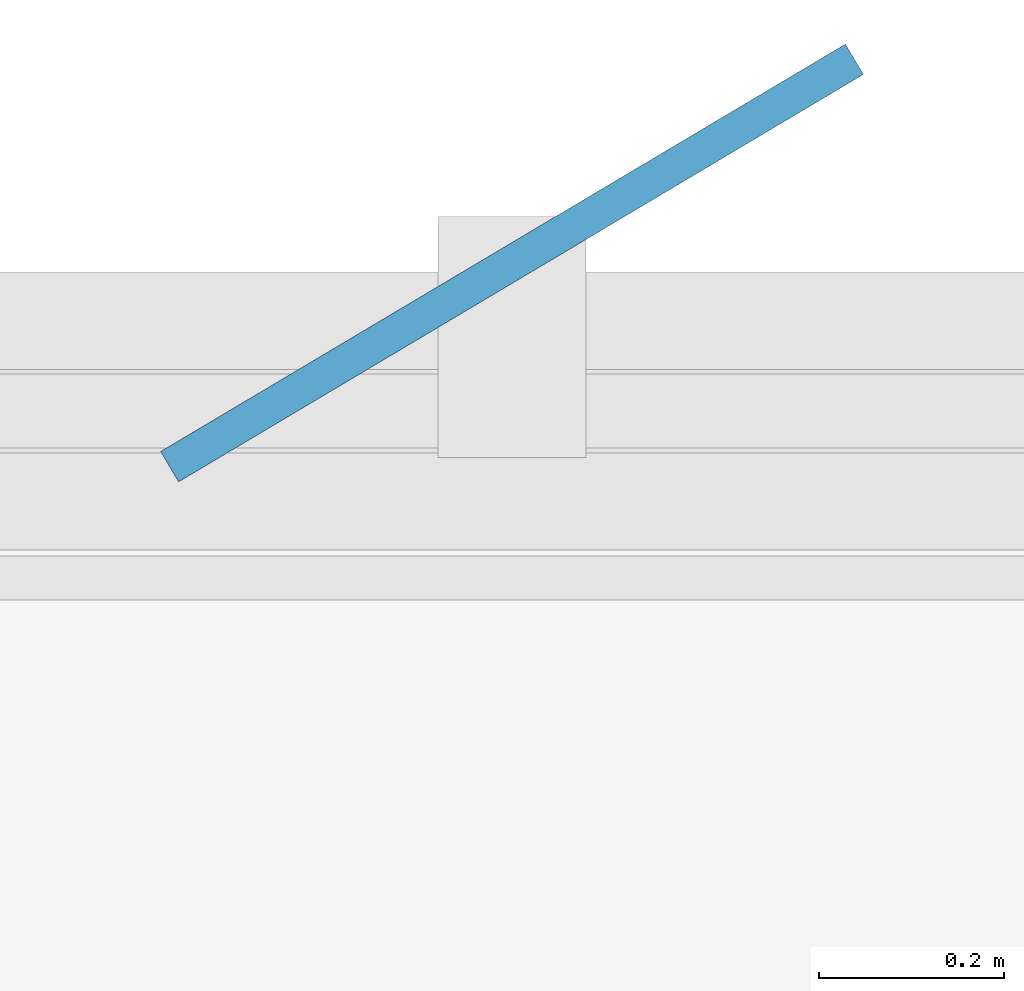
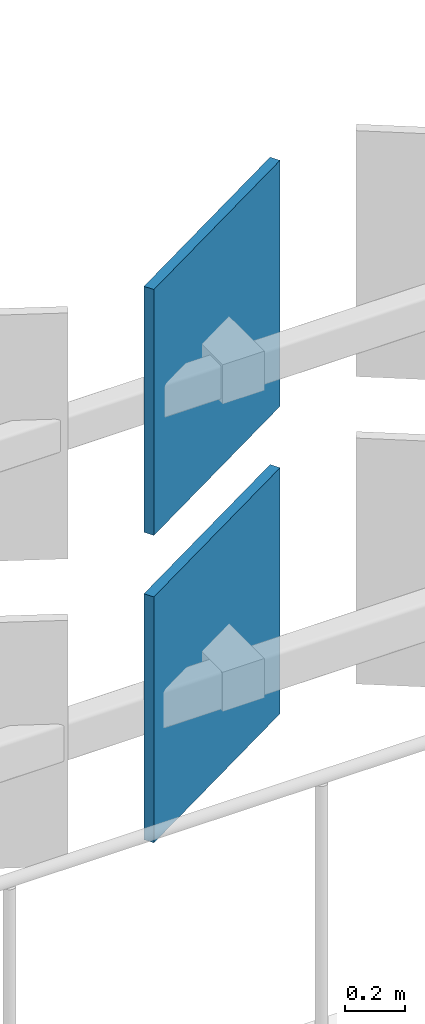
# One storey, part 147 of 184: 2 plates.
"""IFC4 building model written with IfcOpenShell, lengths in metres."""

from ifc_helpers import new_model, si_unit, direction, frame, origin, origin_2d, place, context, subcontext, project, spatial, rectangle, extrude, material, layer, layer_set, type_object, element, save


model = new_model("IFC4")

# Units and contexts
model_context = context("Model", 3, precision=1e-05, world=origin(), true_north=direction((0.0, 1.0)))
body_context = subcontext(model_context, "Body", "Model", "MODEL_VIEW")
ifc_project = project(units=[si_unit("LENGTHUNIT", "METRE"), si_unit("AREAUNIT", "SQUARE_METRE"), si_unit("VOLUMEUNIT", "CUBIC_METRE"), si_unit("PLANEANGLEUNIT", "RADIAN"), si_unit("MASSUNIT", "GRAM", prefix="KILO")], contexts=[model_context])

# Site, building, storey
site_placement = place(None, origin())
site = spatial("IfcSite", under=ifc_project, at=site_placement, CompositionType="ELEMENT")
building_placement = place(site_placement, origin())
building = spatial("IfcBuilding", under=site, at=building_placement, Name="Qalvenar Corner Mobility Hub", CompositionType="ELEMENT")
storey_placement = place(building_placement, frame((0.0, 0.0, 9.0)))
storey = spatial("IfcBuildingStorey", under=building, at=storey_placement, Name="L02", CompositionType="ELEMENT", Elevation=9.0)

# Plates
ifc_material = material(Name="Amber-Bronze Anodised Aluminium", Category="aluminium")
ifc_layer = layer(ifc_material, 0.0380859375)
ifc_layer_set = layer_set([ifc_layer], Name="Amber-Bronze Anodised Aluminium")
plate_type = type_object("IfcPlateType", Name="PLT-XC-L2-STD", PredefinedType="SHEET", material=ifc_layer_set)
for number, where, z_axis, x_axis, name in (
    (1, (127.574951171875, 117.760009765625, 1.0), (0.0, 0.0, 1.0), (-0.859406411501, -0.511293086077, 0.0), "Hinged Facade Panel FP-L02-0501"),
    (2, (127.574951171875, 117.760009765625, 2.25), (0.0, 0.0, 1.0), (-0.859406411501, -0.511293086077, 0.0), "Hinged Facade Panel FP-L02-0502"),
):
    element("IfcPlate", number, at=place(storey_placement, frame(where, z_axis=z_axis, x_axis=x_axis)), inside=storey, type_object=plate_type, Name=name, PredefinedType="SHEET", context=body_context, shape_type="SweptSolid", body=[
        extrude(rectangle(XDim=0.860107421875, YDim=0.0380859375, at=origin_2d()), origin(), (0.0, 0.0, 1.0), 1.0),
    ])

save(model, "model.ifc")
